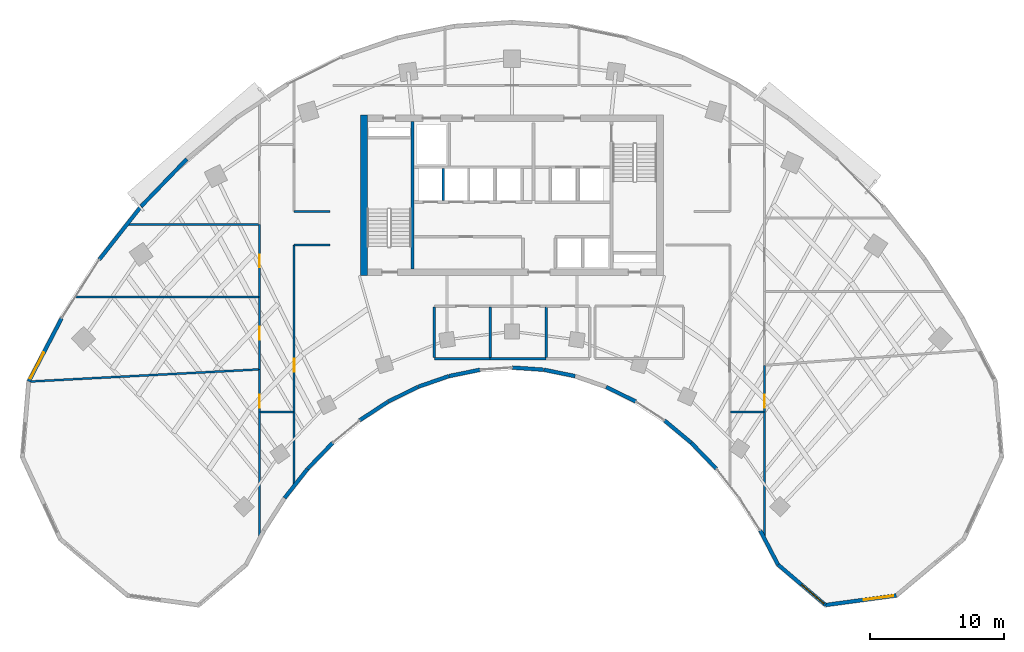
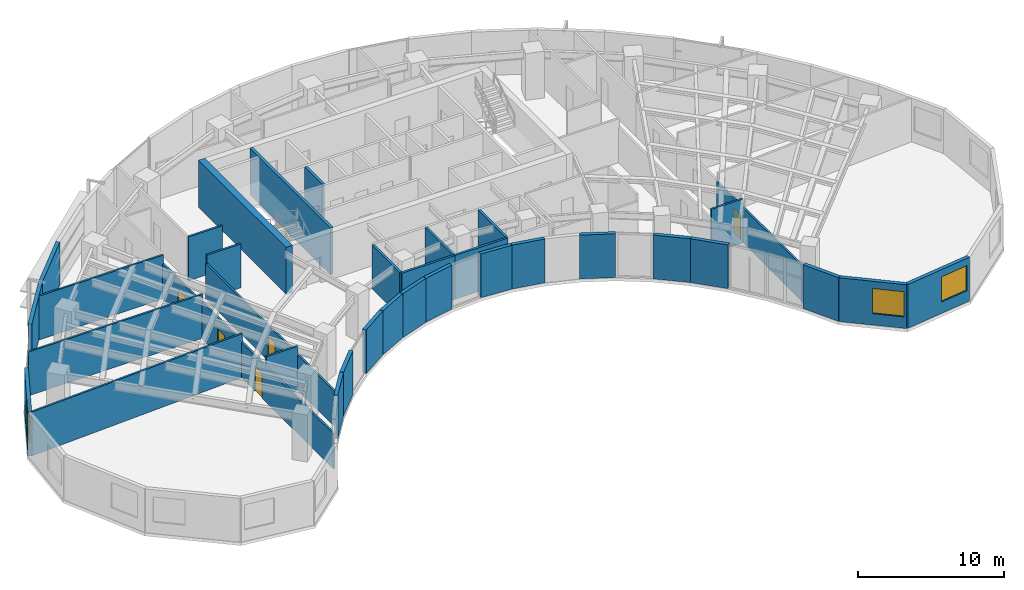
# One storey, part 8 of 14: 37 walls, 5 doors, 3 windows, 8 openings.
"""IFC4 building model written with IfcOpenShell, lengths in metres."""

from ifc_helpers import new_model, si_unit, direction, frame, frame_2d, origin, place, context, subcontext, project, spatial, rectangle, extrude, source, transform, mapped, material, layer, layer_set, type_object, type_shapes, element, fill, save


model = new_model("IFC4")

# Units and contexts
model_context = context("Model", 3, precision=1e-05, world=origin(), true_north=direction((0.0, 1.0)))
body_context = subcontext(model_context, "Body", "Model", "MODEL_VIEW")
ifc_project = project(units=[si_unit("LENGTHUNIT", "METRE"), si_unit("AREAUNIT", "SQUARE_METRE"), si_unit("VOLUMEUNIT", "CUBIC_METRE"), si_unit("PLANEANGLEUNIT", "RADIAN"), si_unit("MASSUNIT", "GRAM", prefix="KILO")], contexts=[model_context])

# Site, building, storey
site_placement = place(None, origin())
site = spatial("IfcSite", under=ifc_project, at=site_placement, CompositionType="ELEMENT")
building_placement = place(site_placement, origin())
building = spatial("IfcBuilding", under=site, at=building_placement, Name="Breltana Convention Tower", CompositionType="ELEMENT")
storey_placement = place(building_placement, frame((0.0, 0.0, 99.89990234375)))
storey = spatial("IfcBuildingStorey", under=building, at=storey_placement, Name="L23", CompositionType="ELEMENT", Elevation=99.89990234375)

# Walls
ifc_material_1 = material(Name="Concrete C60/75", Category="concrete")
ifc_layer_1 = layer(ifc_material_1, 0.5, Name="Concrete C60/75")
ifc_layer_set_1 = layer_set([ifc_layer_1], Name="Concrete C60/75")
wall_type_1 = type_object("IfcWallType", Name="SW-CORE-500", PredefinedType="SHEAR", material=ifc_layer_set_1)
shared_shape_1 = source(origin(), body_context, "Body", "SweptSolid", [
    extrude(rectangle(XDim=12.0, YDim=0.5, at=frame_2d((6.0, 0.0))), origin(), (0.0, 0.0, 1.0), 3.900146484375),
])
wall_1_placement = place(storey_placement, frame((36.949951171875, 60.199951171875, 0.0), z_axis=(0.0, 0.0, 1.0), x_axis=(0.0, 1.0, 0.0)))
element("IfcWall", 1, at=wall_1_placement, inside=storey, type_object=wall_type_1, Name="L23 West Core Shear Wall", PredefinedType="SHEAR", context=body_context, shape_type="MappedRepresentation", body=[
    mapped(shared_shape_1, transform((0.0, 0.0, 0.0), scale=1.0)),
])
ifc_material_2 = material(Name="Concrete C50/60", Category="concrete")
ifc_layer_2 = layer(ifc_material_2, 0.39990234375, Name="Concrete C50/60")
ifc_layer_set_2 = layer_set([ifc_layer_2], Name="Concrete C50/60")
wall_type_2 = type_object("IfcWallType", Name="SW-CORE-400", PredefinedType="SHEAR", material=ifc_layer_set_2)
shared_shape_2 = source(origin(), body_context, "Body", "SweptSolid", [
    extrude(rectangle(XDim=11.0, YDim=0.219970703125, at=frame_2d((5.5, 0.0))), origin(), (0.0, 0.0, 1.0), 3.900146484375),
])
wall_2_placement = place(storey_placement, frame((40.580078125, 60.699951171875, 0.0), z_axis=(0.0, 0.0, 1.0), x_axis=(0.0, 1.0, 0.0)))
element("IfcWall", 2, at=wall_2_placement, inside=storey, type_object=wall_type_2, Name="L23 Core West Stair Spine Wall", PredefinedType="SHEAR", context=body_context, shape_type="MappedRepresentation", body=[
    mapped(shared_shape_2, transform((0.0, 0.0, 0.0), scale=1.0)),
])

# Wall, opening, window
ifc_material_3 = material(Name="Limestone Buff Insulated Wall", Category="masonry")
ifc_layer_3 = layer(ifc_material_3, 0.280029296875, Name="Limestone Buff Insulated Wall")
ifc_layer_set_3 = layer_set([ifc_layer_3], Name="Limestone Buff Insulated Wall")
wall_type_3 = type_object("IfcWallType", Name="WL-EXT-NOSE-280", PredefinedType="SOLIDWALL", material=ifc_layer_set_3)
shared_shape_3 = source(origin(), body_context, "Body", "SweptSolid", [
    extrude(rectangle(XDim=5.32373046875, YDim=0.280029296875, at=frame_2d((2.661865234375, 0.0))), origin(), (0.0, 0.0, 1.0), 3.650146484375),
])
wall_3_placement = place(storey_placement, frame((76.685791015625, 36.321533203125, 0.0), z_axis=(0.0, 0.0, 1.0), x_axis=(-0.990931467223, -0.134368252451, 0.0)))
wall_3 = element("IfcWall", 3, at=wall_3_placement, inside=storey, type_object=wall_type_3, Name="L23 curved limestone nose wall E4", PredefinedType="SOLIDWALL", context=body_context, shape_type="MappedRepresentation", body=[
    mapped(shared_shape_3, transform((0.0, 0.0, 0.0), scale=1.0)),
])
opening_1_placement = place(wall_3_placement, frame((0.23095703125, 0.0, 0.949951171875)))
opening_1 = element("IfcOpeningElement", 4, at=opening_1_placement, cuts=wall_3, Name="Opening W-03", PredefinedType="OPENING", context=body_context, shape_type="SweptSolid", body=[
    extrude(rectangle(XDim=2.199951171875, YDim=2.10009765625, at=frame_2d((1.10009765625, 1.050048828125))), frame((0.0, 0.14990234375, 0.0), z_axis=(0.0, -1.0, 0.0), x_axis=(1.0, 0.0, 0.0)), (0.0, 0.0, 1.0), 0.300048828125),
])
ifc_material_4 = material(Name="Glass Low-E Insulated Window", Category="glass")
window_type = type_object("IfcWindowType", Name="WN-NOSE-2200X2100", PartitioningType="TRIPLE_PANEL_VERTICAL", PredefinedType="WINDOW", material=ifc_material_4)
shared_shape_4 = source(origin(), body_context, "Body", "SweptSolid", [
    extrude(rectangle(XDim=2.199951171875, YDim=2.10009765625, at=frame_2d((1.10009765625, 1.050048828125))), frame((0.0, 0.030029296875, 0.0), z_axis=(0.0, -1.0, 0.0), x_axis=(1.0, 0.0, 0.0)), (0.0, 0.0, 1.0), 0.06005859375),
])
type_shapes(window_type, [shared_shape_4])
window_1_placement = place(opening_1_placement, origin())
window_1 = element("IfcWindow", 5, at=window_1_placement, inside=storey, type_object=window_type, Name="L23 nose window E4", OverallHeight=2.10009765625, OverallWidth=2.199951171875, PartitioningType="TRIPLE_PANEL_VERTICAL", PredefinedType="WINDOW", context=body_context, shape_type="MappedRepresentation", body=[
    mapped(shared_shape_4, transform((0.0, 0.0, 0.0), scale=1.0)),
])
fill(opening_1, window_1)

shared_shape_5 = source(origin(), body_context, "Body", "SweptSolid", [
    extrude(rectangle(XDim=4.6591796875, YDim=0.280029296875, at=frame_2d((2.32958984375, 0.0))), origin(), (0.0, 0.0, 1.0), 3.650146484375),
])
wall_4_placement = place(storey_placement, frame((71.410400390625, 35.606201171875, 0.0), z_axis=(0.0, 0.0, 1.0), x_axis=(-0.761913458795, 0.647678841176, 0.0)))
wall_4 = element("IfcWall", 6, at=wall_4_placement, inside=storey, type_object=wall_type_3, Name="L23 curved limestone nose wall E5", PredefinedType="SOLIDWALL", context=body_context, shape_type="MappedRepresentation", body=[
    mapped(shared_shape_5, transform((0.0, 0.0, 0.0), scale=1.0)),
])
opening_2_placement = place(wall_4_placement, frame((0.159912109375, 0.0, 0.949951171875)))
opening_2 = element("IfcOpeningElement", 7, at=opening_2_placement, cuts=wall_4, Name="Opening W-03", PredefinedType="OPENING", context=body_context, shape_type="SweptSolid", body=[
    extrude(rectangle(XDim=2.199951171875, YDim=2.10009765625, at=frame_2d((1.10009765625, 1.050048828125))), frame((0.0, 0.14990234375, 0.0), z_axis=(0.0, -1.0, 0.0), x_axis=(1.0, 0.0, 0.0)), (0.0, 0.0, 1.0), 0.300048828125),
])
window_2_placement = place(opening_2_placement, origin())
window_2 = element("IfcWindow", 8, at=window_2_placement, inside=storey, type_object=window_type, Name="L23 nose window E5", OverallHeight=2.10009765625, OverallWidth=2.199951171875, PartitioningType="TRIPLE_PANEL_VERTICAL", PredefinedType="WINDOW", context=body_context, shape_type="MappedRepresentation", body=[
    mapped(shared_shape_4, transform((0.0, 0.0, 0.0), scale=1.0)),
])
fill(opening_2, window_2)

# Walls
shared_shape_6 = source(origin(), body_context, "Body", "SweptSolid", [
    extrude(rectangle(XDim=2.8798828125, YDim=0.280029296875, at=frame_2d((1.43994140625, 0.0))), origin(), (0.0, 0.0, 1.0), 3.650146484375),
])
wall_5_placement = place(storey_placement, frame((67.860595703125, 38.623779296875, 0.0), z_axis=(0.0, 0.0, 1.0), x_axis=(-0.461769086658, 0.887000175088, 0.0)))
element("IfcWall", 9, at=wall_5_placement, inside=storey, type_object=wall_type_3, Name="L23 curved limestone nose wall E6", PredefinedType="SOLIDWALL", context=body_context, shape_type="MappedRepresentation", body=[
    mapped(shared_shape_6, transform((0.0, 0.0, 0.0), scale=1.0)),
])
shared_shape_7 = source(origin(), body_context, "Body", "SweptSolid", [
    extrude(rectangle(XDim=2.679931640625, YDim=0.280029296875, at=frame_2d((1.33984375, 0.0))), origin(), (0.0, 0.0, 1.0), 3.650146484375),
])
for number, where, z_axis, x_axis, name in (
    (10, (63.260009765625, 45.780029296875, 0.0), (0.0, 0.0, 1.0), (-0.694561996568, 0.719432855049, 0.0), "L23 curved limestone nose wall E7"),
    (11, (34.601318359375, 47.7080078125, 0.0), (0.0, 0.0, 1.0), (-0.694561996568, -0.719432855049, 0.0), "L23 curved limestone nose wall E17"),
):
    element("IfcWall", number, at=place(storey_placement, frame(where, z_axis=z_axis, x_axis=x_axis)), inside=storey, type_object=wall_type_3, Name=name, PredefinedType="SOLIDWALL", context=body_context, shape_type="MappedRepresentation", body=[
        mapped(shared_shape_7, transform((0.0, 0.0, 0.0), scale=1.0)),
    ])
shared_shape_8 = source(origin(), body_context, "Body", "SweptSolid", [
    extrude(rectangle(XDim=2.600830078125, YDim=0.280029296875, at=frame_2d((1.30029296875, 0.0))), origin(), (0.0, 0.0, 1.0), 3.650146484375),
])
wall_6_placement = place(storey_placement, frame((61.384521484375, 47.72119140625, 0.0), z_axis=(0.0, 0.0, 1.0), x_axis=(-0.76796730295, 0.640489048775, 0.0)))
element("IfcWall", 12, at=wall_6_placement, inside=storey, type_object=wall_type_3, Name="L23 curved limestone nose wall E8", PredefinedType="SOLIDWALL", context=body_context, shape_type="MappedRepresentation", body=[
    mapped(shared_shape_8, transform((0.0, 0.0, 0.0), scale=1.0)),
])
shared_shape_9 = source(origin(), body_context, "Body", "SweptSolid", [
    extrude(rectangle(XDim=2.46240234375, YDim=0.280029296875, at=frame_2d((1.231201171875, 0.0))), origin(), (0.0, 0.0, 1.0), 3.650146484375),
])
for number, where, z_axis, x_axis, name in (
    (13, (57.239013671875, 50.797119140625, 0.0), (0.0, 0.0, 1.0), (-0.8959882207, 0.444077817917, 0.0), "L23 curved limestone nose wall E9"),
    (14, (40.96728515625, 51.890625, 0.0), (0.0, 0.0, 1.0), (-0.8959882207, -0.444077817917, 0.0), "L23 curved limestone nose wall E15"),
):
    element("IfcWall", number, at=place(storey_placement, frame(where, z_axis=z_axis, x_axis=x_axis)), inside=storey, type_object=wall_type_3, Name=name, PredefinedType="SOLIDWALL", context=body_context, shape_type="MappedRepresentation", body=[
        mapped(shared_shape_9, transform((0.0, 0.0, 0.0), scale=1.0)),
    ])
shared_shape_10 = source(origin(), body_context, "Body", "SweptSolid", [
    extrude(rectangle(XDim=2.41064453125, YDim=0.280029296875, at=frame_2d((1.205322265625, 0.0))), origin(), (0.0, 0.0, 1.0), 3.650146484375),
])
wall_7_placement = place(storey_placement, frame((43.26611328125, 52.688720703125, 0.0), z_axis=(0.0, 0.0, 1.0), x_axis=(-0.944880068161, -0.327416640982, 0.0)))
element("IfcWall", 15, at=wall_7_placement, inside=storey, type_object=wall_type_3, Name="L23 curved limestone nose wall E14", PredefinedType="SOLIDWALL", context=body_context, shape_type="MappedRepresentation", body=[
    mapped(shared_shape_10, transform((0.0, 0.0, 0.0), scale=1.0)),
])
shared_shape_11 = source(origin(), body_context, "Body", "SweptSolid", [
    extrude(rectangle(XDim=2.373779296875, YDim=0.280029296875, at=frame_2d((1.18701171875, 0.0))), origin(), (0.0, 0.0, 1.0), 3.650146484375),
])
for number, where, z_axis, x_axis, name in (
    (16, (52.711181640625, 52.695068359375, 0.0), (0.0, 0.0, 1.0), (-0.979619827472, 0.200860632341, 0.0), "L23 curved limestone nose wall E11"),
    (17, (45.6142578125, 53.171875, 0.0), (0.0, 0.0, 1.0), (-0.979619827472, -0.200860632341, 0.0), "L23 curved limestone nose wall E13"),
):
    element("IfcWall", number, at=place(storey_placement, frame(where, z_axis=z_axis, x_axis=x_axis)), inside=storey, type_object=wall_type_3, Name=name, PredefinedType="SOLIDWALL", context=body_context, shape_type="MappedRepresentation", body=[
        mapped(shared_shape_11, transform((0.0, 0.0, 0.0), scale=1.0)),
    ])
shared_shape_12 = source(origin(), body_context, "Body", "SweptSolid", [
    extrude(rectangle(XDim=2.35498046875, YDim=0.280029296875, at=frame_2d((1.177490234375, 0.0))), origin(), (0.0, 0.0, 1.0), 3.650146484375),
])
wall_8_placement = place(storey_placement, frame((50.36181640625, 53.175048828125, 0.0), z_axis=(0.0, 0.0, 1.0), x_axis=(-0.997699017577, 0.067798748701, 0.0)))
element("IfcWall", 18, at=wall_8_placement, inside=storey, type_object=wall_type_3, Name="L23 curved limestone nose wall E12", PredefinedType="SOLIDWALL", context=body_context, shape_type="MappedRepresentation", body=[
    mapped(shared_shape_12, transform((0.0, 0.0, 0.0), scale=1.0)),
])
shared_shape_13 = source(origin(), body_context, "Body", "SweptSolid", [
    extrude(rectangle(XDim=2.52734375, YDim=0.280029296875, at=frame_2d((1.263671875, 0.0))), origin(), (0.0, 0.0, 1.0), 3.650146484375),
])
wall_9_placement = place(storey_placement, frame((38.7421875, 50.7861328125, 0.0), z_axis=(0.0, 0.0, 1.0), x_axis=(-0.836011905051, -0.548711303523, 0.0)))
element("IfcWall", 19, at=wall_9_placement, inside=storey, type_object=wall_type_3, Name="L23 curved limestone nose wall E16", PredefinedType="SOLIDWALL", context=body_context, shape_type="MappedRepresentation", body=[
    mapped(shared_shape_13, transform((0.0, 0.0, 0.0), scale=1.0)),
])
shared_shape_14 = source(origin(), body_context, "Body", "SweptSolid", [
    extrude(rectangle(XDim=2.760498046875, YDim=0.280029296875, at=frame_2d((1.38037109375, 0.0))), origin(), (0.0, 0.0, 1.0), 3.650146484375),
])
wall_10_placement = place(storey_placement, frame((32.72802734375, 45.766357421875, 0.0), z_axis=(0.0, 0.0, 1.0), x_axis=(-0.618180818641, -0.786035925047, 0.0)))
element("IfcWall", 20, at=wall_10_placement, inside=storey, type_object=wall_type_3, Name="L23 curved limestone nose wall E18", PredefinedType="SOLIDWALL", context=body_context, shape_type="MappedRepresentation", body=[
    mapped(shared_shape_14, transform((0.0, 0.0, 0.0), scale=1.0)),
])

# Wall, opening, window
shared_shape_15 = source(origin(), body_context, "Body", "SweptSolid", [
    extrude(rectangle(XDim=5.315185546875, YDim=0.280029296875, at=frame_2d((2.65771484375, 0.0))), origin(), (0.0, 0.0, 1.0), 3.650146484375),
])
wall_11_placement = place(storey_placement, frame((11.92236328125, 52.305419921875, 0.0), z_axis=(0.0, 0.0, 1.0), x_axis=(0.461760527822, 0.887004630735, 0.0)))
wall_11 = element("IfcWall", 21, at=wall_11_placement, inside=storey, type_object=wall_type_3, Name="L23 curved limestone nose wall W7", PredefinedType="SOLIDWALL", context=body_context, shape_type="MappedRepresentation", body=[
    mapped(shared_shape_15, transform((0.0, 0.0, 0.0), scale=1.0)),
])
opening_3_placement = place(wall_11_placement, frame((0.228759765625, 0.0, 0.949951171875)))
opening_3 = element("IfcOpeningElement", 22, at=opening_3_placement, cuts=wall_11, Name="Opening W-03", PredefinedType="OPENING", context=body_context, shape_type="SweptSolid", body=[
    extrude(rectangle(XDim=2.199951171875, YDim=2.10009765625, at=frame_2d((1.10009765625, 1.050048828125))), frame((0.0, 0.14990234375, 0.0), z_axis=(0.0, -1.0, 0.0), x_axis=(1.0, 0.0, 0.0)), (0.0, 0.0, 1.0), 0.300048828125),
])
window_3_placement = place(opening_3_placement, origin())
window_3 = element("IfcWindow", 23, at=window_3_placement, inside=storey, type_object=window_type, Name="L23 nose window W7", OverallHeight=2.10009765625, OverallWidth=2.199951171875, PartitioningType="TRIPLE_PANEL_VERTICAL", PredefinedType="WINDOW", context=body_context, shape_type="MappedRepresentation", body=[
    mapped(shared_shape_4, transform((0.0, 0.0, 0.0), scale=1.0)),
])
fill(opening_3, window_3)

# Walls
shared_shape_16 = source(origin(), body_context, "Body", "SweptSolid", [
    extrude(rectangle(XDim=5.05810546875, YDim=0.280029296875, at=frame_2d((2.529052734375, 0.0))), origin(), (0.0, 0.0, 1.0), 3.650146484375),
])
wall_12_placement = place(storey_placement, frame((17.1884765625, 61.400390625, 0.0), z_axis=(0.0, 0.0, 1.0), x_axis=(0.618145507434, 0.786063694391, 0.0)))
element("IfcWall", 24, at=wall_12_placement, inside=storey, type_object=wall_type_3, Name="L23 curved limestone nose wall E20", PredefinedType="SOLIDWALL", context=body_context, shape_type="MappedRepresentation", body=[
    mapped(shared_shape_16, transform((0.0, 0.0, 0.0), scale=1.0)),
])
shared_shape_17 = source(origin(), body_context, "Body", "SweptSolid", [
    extrude(rectangle(XDim=4.908447265625, YDim=0.280029296875, at=frame_2d((2.4541015625, 0.0))), origin(), (0.0, 0.0, 1.0), 3.650146484375),
])
wall_13_placement = place(storey_placement, frame((20.315185546875, 65.37646484375, 0.0), z_axis=(0.0, 0.0, 1.0), x_axis=(0.694613154328, 0.719383462302, 0.0)))
element("IfcWall", 25, at=wall_13_placement, inside=storey, type_object=wall_type_3, Name="L23 curved limestone nose wall E21", PredefinedType="SOLIDWALL", context=body_context, shape_type="MappedRepresentation", body=[
    mapped(shared_shape_17, transform((0.0, 0.0, 0.0), scale=1.0)),
])
ifc_material_5 = material(Name="Autoclaved Aerated Concrete Block", Category="concrete")
ifc_layer_4 = layer(ifc_material_5, 0.199951171875, Name="Autoclaved Aerated Concrete Block")
ifc_layer_set_4 = layer_set([ifc_layer_4], Name="Autoclaved Aerated Concrete Block")
wall_type_4 = type_object("IfcWallType", Name="WL-SHAFT-200", PredefinedType="SOLIDWALL", material=ifc_layer_set_4)
shared_shape_18 = source(origin(), body_context, "Body", "SweptSolid", [
    extrude(rectangle(XDim=2.39990234375, YDim=0.199951171875, at=frame_2d((1.199951171875, 0.0))), origin(), (0.0, 0.0, 1.0), 3.650146484375),
])
wall_14_placement = place(storey_placement, frame((42.8701171875, 65.800048828125, 0.0), z_axis=(0.0, 0.0, 1.0), x_axis=(0.0, 1.0, 0.0)))
element("IfcWall", 26, at=wall_14_placement, inside=storey, type_object=wall_type_4, Name="L23 interior partition W-L23-SH-M-DIV1", PredefinedType="SOLIDWALL", context=body_context, shape_type="MappedRepresentation", body=[
    mapped(shared_shape_18, transform((0.0, 0.0, 0.0), scale=1.0)),
])
ifc_material_6 = material(Name="Cement Board Wet-Area Partition")
ifc_layer_5 = layer(ifc_material_6, 0.175048828125, Name="Cement Board Wet-Area Partition")
ifc_layer_set_5 = layer_set([ifc_layer_5], Name="Cement Board Wet-Area Partition")
wall_type_5 = type_object("IfcWallType", Name="WL-WET-175", PredefinedType="PARTITIONING", material=ifc_layer_set_5)
shared_shape_19 = source(origin(), body_context, "Body", "SweptSolid", [
    extrude(rectangle(XDim=4.176025390625, YDim=0.175048828125, at=frame_2d((2.087890625, 0.0))), origin(), (0.0, 0.0, 1.0), 3.650146484375),
])
for number, where, z_axis, x_axis, name in (
    (27, (42.199951171875, 54.0, 0.0), (0.0, 0.0, 1.0), (1.0, 0.0, 0.0), "L23 interior partition W-L23-WCM-S"),
    (28, (46.3759765625, 54.0, 0.0), (0.0, 0.0, 1.0), (1.0, 0.0, 0.0), "L23 interior partition W-L23-WCF-S"),
):
    element("IfcWall", number, at=place(storey_placement, frame(where, z_axis=z_axis, x_axis=x_axis)), inside=storey, type_object=wall_type_5, Name=name, PredefinedType="PARTITIONING", context=body_context, shape_type="MappedRepresentation", body=[
        mapped(shared_shape_19, transform((0.0, 0.0, 0.0), scale=1.0)),
    ])
shared_shape_20 = source(origin(), body_context, "Body", "SweptSolid", [
    extrude(rectangle(XDim=3.7626953125, YDim=0.175048828125, at=frame_2d((1.88134765625, 0.0))), origin(), (0.0, 0.0, 1.0), 3.650146484375),
])
for number, where, z_axis, x_axis, name in (
    (29, (42.199951171875, 54.07861328125, 0.0), (0.0, 0.0, 1.0), (0.0, 1.0, 0.0), "L23 interior partition W-L23-WCM-W"),
    (30, (46.3759765625, 54.07861328125, 0.0), (0.0, 0.0, 1.0), (0.0, 1.0, 0.0), "L23 interior partition W-L23-WCM-E"),
    (31, (50.552001953125, 54.07861328125, 0.0), (0.0, 0.0, 1.0), (0.0, 1.0, 0.0), "L23 interior partition W-L23-WCF-E"),
):
    element("IfcWall", number, at=place(storey_placement, frame(where, z_axis=z_axis, x_axis=x_axis)), inside=storey, type_object=wall_type_5, Name=name, PredefinedType="PARTITIONING", context=body_context, shape_type="MappedRepresentation", body=[
        mapped(shared_shape_20, transform((0.0, 0.0, 0.0), scale=1.0)),
    ])
ifc_material_7 = material(Name="Gypsum Acoustic Drywall Partition")
ifc_layer_6 = layer(ifc_material_7, 0.14990234375, Name="Gypsum Acoustic Drywall Partition")
ifc_layer_set_6 = layer_set([ifc_layer_6], Name="Gypsum Acoustic Drywall Partition")
wall_type_6 = type_object("IfcWallType", Name="WL-PART-150", PredefinedType="PARTITIONING", material=ifc_layer_set_6)
shared_shape_21 = source(origin(), body_context, "Body", "SweptSolid", [
    extrude(rectangle(XDim=2.5, YDim=0.14990234375, at=frame_2d((1.25, 0.0))), origin(), (0.0, 0.0, 1.0), 3.650146484375),
])
for number, where, z_axis, x_axis, name in (
    (32, (29.199951171875, 50.0, 0.0), (0.0, 0.0, 1.0), (1.0, 0.0, 0.0), "L23 interior partition W-L23-CORNW-S"),
    (33, (64.300048828125, 50.0, 0.0), (0.0, 0.0, 1.0), (1.0, 0.0, 0.0), "L23 interior partition W-L23-CORNE-S"),
):
    element("IfcWall", number, at=place(storey_placement, frame(where, z_axis=z_axis, x_axis=x_axis)), inside=storey, type_object=wall_type_6, Name=name, PredefinedType="PARTITIONING", context=body_context, shape_type="MappedRepresentation", body=[
        mapped(shared_shape_21, transform((0.0, 0.0, 0.0), scale=1.0)),
    ])

# Wall, opening, door
shared_shape_22 = source(origin(), body_context, "Body", "SweptSolid", [
    extrude(rectangle(XDim=12.593994140625, YDim=0.14990234375, at=frame_2d((6.296875, 0.0))), origin(), (0.0, 0.0, 1.0), 2.942138671875),
])
wall_15_placement = place(storey_placement, frame((29.159912109375, 40.60595703125, 0.0), z_axis=(0.0, 0.0, 1.0), x_axis=(0.0, 1.0, 0.0)))
wall_15 = element("IfcWall", 34, at=wall_15_placement, inside=storey, type_object=wall_type_6, Name="L23 interior partition W-L23-ZW1-E", PredefinedType="PARTITIONING", context=body_context, shape_type="MappedRepresentation", body=[
    mapped(shared_shape_22, transform((0.0, 0.0, 0.0), scale=1.0)),
])
opening_4_placement = place(wall_15_placement, frame((9.744140625, 0.0, 0.0)))
opening_4 = element("IfcOpeningElement", 35, at=opening_4_placement, cuts=wall_15, Name="Opening D-17", PredefinedType="OPENING", context=body_context, shape_type="SweptSolid", body=[
    extrude(rectangle(XDim=0.949951171875, YDim=2.10009765625, at=frame_2d((0.47509765625, 1.050048828125))), frame((0.0, 0.0849609375, 0.0), z_axis=(0.0, -1.0, 0.0), x_axis=(1.0, 0.0, 0.0)), (0.0, 0.0, 1.0), 0.169921875),
])
ifc_material_8 = material(Name="Timber Oak Veneer Door", Category="wood")
door_type = type_object("IfcDoorType", Name="DR-INT-950", OperationType="NOTDEFINED", PredefinedType="DOOR", material=ifc_material_8)
shared_shape_23 = source(origin(), body_context, "Body", "SweptSolid", [
    extrude(rectangle(XDim=0.949951171875, YDim=2.10009765625, at=frame_2d((0.47509765625, 1.050048828125))), frame((0.0, 0.02490234375, 0.0), z_axis=(0.0, -1.0, 0.0), x_axis=(1.0, 0.0, 0.0)), (0.0, 0.0, 1.0), 0.050048828125),
])
type_shapes(door_type, [shared_shape_23])
door_1_placement = place(opening_4_placement, origin())
door_1 = element("IfcDoor", 36, at=door_1_placement, inside=storey, type_object=door_type, Name="L23 interior door D-L23-ZW1", OperationType="SINGLE_SWING_LEFT", OverallHeight=2.10009765625, OverallWidth=0.949951171875, PredefinedType="DOOR", context=body_context, shape_type="MappedRepresentation", body=[
    mapped(shared_shape_23, transform((0.0, 0.0, 0.0), scale=1.0)),
])
fill(opening_4, door_1)

# Wall
shared_shape_24 = source(origin(), body_context, "Body", "SweptSolid", [
    extrude(rectangle(XDim=17.132080078125, YDim=0.14990234375, at=frame_2d((8.56591796875, 0.0))), origin(), (0.0, 0.0, 1.0), 3.650146484375),
])
wall_16_placement = place(storey_placement, frame((12.0517578125, 52.294189453125, 0.0), z_axis=(0.0, 0.0, 1.0), x_axis=(0.998601444231, 0.05286923094, 0.0)))
element("IfcWall", 37, at=wall_16_placement, inside=storey, type_object=wall_type_6, Name="L23 interior partition W-L23-ZW1-N", PredefinedType="PARTITIONING", context=body_context, shape_type="MappedRepresentation", body=[
    mapped(shared_shape_24, transform((0.0, 0.0, 0.0), scale=1.0)),
])

# Wall, opening, door
shared_shape_25 = source(origin(), body_context, "Body", "SweptSolid", [
    extrude(rectangle(XDim=5.400146484375, YDim=0.14990234375, at=frame_2d((2.7001953125, 0.0))), origin(), (0.0, 0.0, 1.0), 3.022216796875),
])
wall_17_placement = place(storey_placement, frame((29.159912109375, 53.199951171875, 0.0), z_axis=(0.0, 0.0, 1.0), x_axis=(0.0, 1.0, 0.0)))
wall_17 = element("IfcWall", 38, at=wall_17_placement, inside=storey, type_object=wall_type_6, Name="L23 interior partition W-L23-ZW2-E", PredefinedType="PARTITIONING", context=body_context, shape_type="MappedRepresentation", body=[
    mapped(shared_shape_25, transform((0.0, 0.0, 0.0), scale=1.0)),
])
opening_5_placement = place(wall_17_placement, frame((2.22509765625, 0.0, 0.0)))
opening_5 = element("IfcOpeningElement", 39, at=opening_5_placement, cuts=wall_17, Name="Opening D-17", PredefinedType="OPENING", context=body_context, shape_type="SweptSolid", body=[
    extrude(rectangle(XDim=0.949951171875, YDim=2.10009765625, at=frame_2d((0.47509765625, 1.050048828125))), frame((0.0, 0.0849609375, 0.0), z_axis=(0.0, -1.0, 0.0), x_axis=(1.0, 0.0, 0.0)), (0.0, 0.0, 1.0), 0.169921875),
])
door_2_placement = place(opening_5_placement, origin())
door_2 = element("IfcDoor", 40, at=door_2_placement, inside=storey, type_object=door_type, Name="L23 interior door D-L23-ZW2", OperationType="SINGLE_SWING_RIGHT", OverallHeight=2.10009765625, OverallWidth=0.949951171875, PredefinedType="DOOR", context=body_context, shape_type="MappedRepresentation", body=[
    mapped(shared_shape_23, transform((0.0, 0.0, 0.0), scale=1.0)),
])
fill(opening_5, door_2)

# Wall
shared_shape_26 = source(origin(), body_context, "Body", "SweptSolid", [
    extrude(rectangle(XDim=13.757080078125, YDim=0.14990234375, at=frame_2d((6.87841796875, 0.0))), origin(), (0.0, 0.0, 1.0), 3.650146484375),
])
wall_18_placement = place(storey_placement, frame((15.40283203125, 58.60009765625, 0.0), z_axis=(0.0, 0.0, 1.0), x_axis=(1.0, 0.0, 0.0)))
element("IfcWall", 41, at=wall_18_placement, inside=storey, type_object=wall_type_6, Name="L23 interior partition W-L23-ZW2-N", PredefinedType="PARTITIONING", context=body_context, shape_type="MappedRepresentation", body=[
    mapped(shared_shape_26, transform((0.0, 0.0, 0.0), scale=1.0)),
])

# Wall, opening, door
shared_shape_27 = source(origin(), body_context, "Body", "SweptSolid", [
    extrude(rectangle(XDim=5.39990234375, YDim=0.14990234375, at=frame_2d((2.699951171875, 0.0))), origin(), (0.0, 0.0, 1.0), 2.942138671875),
])
wall_19_placement = place(storey_placement, frame((29.159912109375, 58.60009765625, 0.0), z_axis=(0.0, 0.0, 1.0), x_axis=(0.0, 1.0, 0.0)))
wall_19 = element("IfcWall", 42, at=wall_19_placement, inside=storey, type_object=wall_type_6, Name="L23 interior partition W-L23-ZW3-E", PredefinedType="PARTITIONING", context=body_context, shape_type="MappedRepresentation", body=[
    mapped(shared_shape_27, transform((0.0, 0.0, 0.0), scale=1.0)),
])
opening_6_placement = place(wall_19_placement, frame((2.22509765625, 0.0, 0.0)))
opening_6 = element("IfcOpeningElement", 43, at=opening_6_placement, cuts=wall_19, Name="Opening D-17", PredefinedType="OPENING", context=body_context, shape_type="SweptSolid", body=[
    extrude(rectangle(XDim=0.949951171875, YDim=2.10009765625, at=frame_2d((0.47509765625, 1.050048828125))), frame((0.0, 0.0849609375, 0.0), z_axis=(0.0, -1.0, 0.0), x_axis=(1.0, 0.0, 0.0)), (0.0, 0.0, 1.0), 0.169921875),
])
door_3_placement = place(opening_6_placement, origin())
door_3 = element("IfcDoor", 44, at=door_3_placement, inside=storey, type_object=door_type, Name="L23 interior door D-L23-ZW3", OperationType="SINGLE_SWING_LEFT", OverallHeight=2.10009765625, OverallWidth=0.949951171875, PredefinedType="DOOR", context=body_context, shape_type="MappedRepresentation", body=[
    mapped(shared_shape_23, transform((0.0, 0.0, 0.0), scale=1.0)),
])
fill(opening_6, door_3)

# Wall
shared_shape_28 = source(origin(), body_context, "Body", "SweptSolid", [
    extrude(rectangle(XDim=9.914306640625, YDim=0.14990234375, at=frame_2d((4.95703125, 0.0))), origin(), (0.0, 0.0, 1.0), 3.650146484375),
])
wall_20_placement = place(storey_placement, frame((19.24560546875, 64.0, 0.0), z_axis=(0.0, 0.0, 1.0), x_axis=(1.0, 0.0, 0.0)))
element("IfcWall", 45, at=wall_20_placement, inside=storey, type_object=wall_type_6, Name="L23 interior partition W-L23-ZW3-N", PredefinedType="PARTITIONING", context=body_context, shape_type="MappedRepresentation", body=[
    mapped(shared_shape_28, transform((0.0, 0.0, 0.0), scale=1.0)),
])

# Wall, opening, door
shared_shape_29 = source(origin(), body_context, "Body", "SweptSolid", [
    extrude(rectangle(XDim=12.89404296875, YDim=0.14990234375, at=frame_2d((6.447021484375, 0.0))), origin(), (0.0, 0.0, 1.0), 2.942138671875),
])
wall_21_placement = place(storey_placement, frame((66.840087890625, 40.60595703125, 0.0), z_axis=(0.0, 0.0, 1.0), x_axis=(0.0, 1.0, 0.0)))
wall_21 = element("IfcWall", 46, at=wall_21_placement, inside=storey, type_object=wall_type_6, Name="L23 interior partition W-L23-ZE1-W", PredefinedType="PARTITIONING", context=body_context, shape_type="MappedRepresentation", body=[
    mapped(shared_shape_29, transform((0.0, 0.0, 0.0), scale=1.0)),
])
opening_7_placement = place(wall_21_placement, frame((9.744140625, 0.0, 0.0)))
opening_7 = element("IfcOpeningElement", 47, at=opening_7_placement, cuts=wall_21, Name="Opening D-17", PredefinedType="OPENING", context=body_context, shape_type="SweptSolid", body=[
    extrude(rectangle(XDim=0.949951171875, YDim=2.10009765625, at=frame_2d((0.47509765625, 1.050048828125))), frame((0.0, 0.0849609375, 0.0), z_axis=(0.0, -1.0, 0.0), x_axis=(1.0, 0.0, 0.0)), (0.0, 0.0, 1.0), 0.169921875),
])
door_4_placement = place(opening_7_placement, origin())
door_4 = element("IfcDoor", 48, at=door_4_placement, inside=storey, type_object=door_type, Name="L23 interior door D-L23-ZE1", OperationType="SINGLE_SWING_LEFT", OverallHeight=2.10009765625, OverallWidth=0.949951171875, PredefinedType="DOOR", context=body_context, shape_type="MappedRepresentation", body=[
    mapped(shared_shape_23, transform((0.0, 0.0, 0.0), scale=1.0)),
])
fill(opening_7, door_4)

shared_shape_30 = source(origin(), body_context, "Body", "SweptSolid", [
    extrude(rectangle(XDim=17.973876953125, YDim=0.14990234375, at=frame_2d((8.98681640625, 0.0))), origin(), (0.0, 0.0, 1.0), 2.942138671875),
])
wall_22_placement = place(storey_placement, frame((31.739990234375, 44.526123046875, 0.0), z_axis=(0.0, 0.0, 1.0), x_axis=(0.0, 1.0, 0.0)))
wall_22 = element("IfcWall", 49, at=wall_22_placement, inside=storey, type_object=wall_type_6, Name="L23 interior partition W-L23-ZMW1-D", PredefinedType="PARTITIONING", context=body_context, shape_type="MappedRepresentation", body=[
    mapped(shared_shape_30, transform((0.0, 0.0, 0.0), scale=1.0)),
])
opening_8_placement = place(wall_22_placement, frame((8.511962890625, 0.0, 0.0)))
opening_8 = element("IfcOpeningElement", 50, at=opening_8_placement, cuts=wall_22, Name="Opening D-17", PredefinedType="OPENING", context=body_context, shape_type="SweptSolid", body=[
    extrude(rectangle(XDim=0.949951171875, YDim=2.10009765625, at=frame_2d((0.47509765625, 1.050048828125))), frame((0.0, 0.0849609375, 0.0), z_axis=(0.0, -1.0, 0.0), x_axis=(1.0, 0.0, 0.0)), (0.0, 0.0, 1.0), 0.169921875),
])
door_5_placement = place(opening_8_placement, origin())
door_5 = element("IfcDoor", 51, at=door_5_placement, inside=storey, type_object=door_type, Name="L23 interior door D-L23-ZMW1", OperationType="SINGLE_SWING_RIGHT", OverallHeight=2.10009765625, OverallWidth=0.949951171875, PredefinedType="DOOR", context=body_context, shape_type="MappedRepresentation", body=[
    mapped(shared_shape_23, transform((0.0, 0.0, 0.0), scale=1.0)),
])
fill(opening_8, door_5)

# Walls
shared_shape_31 = source(origin(), body_context, "Body", "SweptSolid", [
    extrude(rectangle(XDim=2.659912109375, YDim=0.14990234375, at=frame_2d((1.330078125, 0.0))), origin(), (0.0, 0.0, 1.0), 3.650146484375),
])
for number, where, z_axis, x_axis, name in (
    (52, (31.739990234375, 62.5, 0.0), (0.0, 0.0, 1.0), (1.0, 0.0, 0.0), "L23 interior partition W-L23-ZMW1-TN"),
    (53, (31.739990234375, 65.0, 0.0), (0.0, 0.0, 1.0), (1.0, 0.0, 0.0), "L23 interior partition W-L23-ZMW2-TS"),
):
    element("IfcWall", number, at=place(storey_placement, frame(where, z_axis=z_axis, x_axis=x_axis)), inside=storey, type_object=wall_type_6, Name=name, PredefinedType="PARTITIONING", context=body_context, shape_type="MappedRepresentation", body=[
        mapped(shared_shape_31, transform((0.0, 0.0, 0.0), scale=1.0)),
    ])

save(model, "model.ifc")
